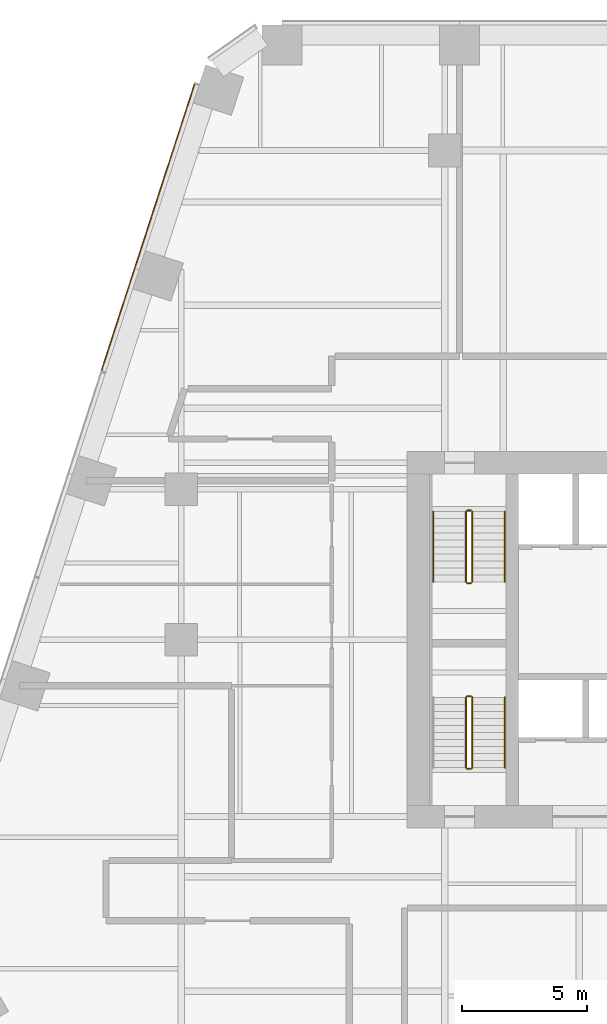
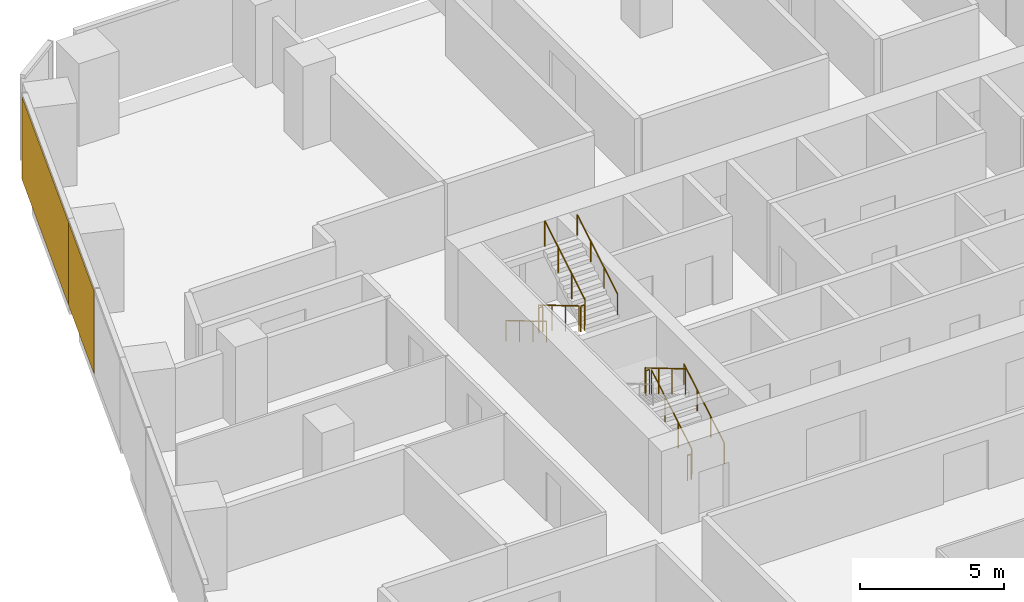
# One storey, part 19 of 21: 11 railings, 2 coverings, 1 element without a shape of its own.
"""IFC4 building model written with IfcOpenShell, lengths in metres."""

import ifcopenshell
import ifcopenshell.guid

model = None  # the IFC model being written
_history = None  # IfcOwnerHistory: only IFC2X3 demands one
_inside = {}  # id of a spatial element -> (the spatial element, [elements in it])
_under = {}  # id of a project, library or spatial element -> (it, [spatial elements below it])
_declared = {}  # id of a project -> (the project, [libraries it declares])
_typed = {}  # id of a type object -> (the type object, [elements of that type])
_made_of = {}  # id of a material, layer set ... -> (it, [elements and type objects made of it])


def new_model(schema):
    """Start an empty IFC model of exactly this schema.

    Asked for "IFC4X3", IfcOpenShell would pick the latest addendum, in which some entities
    have other attributes; the version numbers below select the first issue.
    IFC2X3 requires an IfcOwnerHistory on every rooted entity: one is made here for all.
    """
    global model, _history
    if schema == "IFC4X3":
        model = ifcopenshell.file(schema_version=(4, 3, 0, 0))
    else:
        model = ifcopenshell.file(schema=schema)
    _inside.clear()
    _under.clear()
    _declared.clear()
    _typed.clear()
    _made_of.clear()
    _history = None
    if model.schema == "IFC2X3":
        org = make("IfcOrganization", Name="unknown")
        user = make(
            "IfcPersonAndOrganization",
            ThePerson=make("IfcPerson", FamilyName="unknown"),
            TheOrganization=org,
        )
        app = make(
            "IfcApplication",
            ApplicationDeveloper=org,
            Version="unknown",
            ApplicationFullName="unknown",
            ApplicationIdentifier="unknown",
        )
        _history = make(
            "IfcOwnerHistory",
            OwningUser=user,
            OwningApplication=app,
            ChangeAction="ADDED",
            CreationDate=0,
        )
    return model


def make(cls, **values):
    """One entity of the class cls with the attributes given. An attribute that is None is left unset."""
    return model.create_entity(
        cls, **{name: value for name, value in values.items() if value is not None}
    )


def rooted(cls, **values):
    """An entity with a GlobalId (a new one), such as an element, a storey or a relation."""
    return make(cls, GlobalId=ifcopenshell.guid.new(), OwnerHistory=_history, **values)


def si_unit(unit_type, name, prefix=None):
    """IfcSIUnit, for example si_unit("LENGTHUNIT", "METRE", prefix="MILLI")."""
    return make("IfcSIUnit", UnitType=unit_type, Prefix=prefix, Name=name)


def assignment(units):
    """IfcUnitAssignment: the units of a project."""
    return None if units is None else make("IfcUnitAssignment", Units=units)


def point(xyz):
    """IfcCartesianPoint."""
    return None if xyz is None else make("IfcCartesianPoint", Coordinates=xyz)


def direction(xyz):
    """IfcDirection."""
    return None if xyz is None else make("IfcDirection", DirectionRatios=xyz)


def frame(location, z_axis=None, x_axis=None):
    """IfcAxis2Placement3D, a coordinate frame: its origin and axes. An axis left out is left unset."""
    return make(
        "IfcAxis2Placement3D",
        Location=point(location),
        Axis=direction(z_axis),
        RefDirection=direction(x_axis),
    )


def frame_2d(location, x_axis=None):
    """IfcAxis2Placement2D, a coordinate frame in the plane: its origin and x axis."""
    return make(
        "IfcAxis2Placement2D", Location=point(location), RefDirection=direction(x_axis)
    )


def origin():
    """The frame at (0, 0, 0) with its axes left unset."""
    return frame((0.0, 0.0, 0.0))


def origin_2d():
    """The frame at (0, 0) in the plane with its x axis left unset."""
    return frame_2d((0.0, 0.0))


def place(relative_to, where):
    """IfcLocalPlacement: puts the frame where relative to a parent placement (None: the world)."""
    return make(
        "IfcLocalPlacement", PlacementRelTo=relative_to, RelativePlacement=where
    )


def context(
    kind, dimensions, precision=None, world=None, true_north=None, identifier=None
):
    """IfcGeometricRepresentationContext, for example the 3D "Model" context."""
    return make(
        "IfcGeometricRepresentationContext",
        ContextIdentifier=identifier,
        ContextType=kind,
        CoordinateSpaceDimension=dimensions,
        Precision=precision,
        WorldCoordinateSystem=world,
        TrueNorth=true_north,
    )


def subcontext(parent, identifier, kind, view, scale=None):
    """IfcGeometricRepresentationSubContext, for example "Body" below "Model"."""
    return make(
        "IfcGeometricRepresentationSubContext",
        ContextIdentifier=identifier,
        ContextType=kind,
        ParentContext=parent,
        TargetScale=scale,
        TargetView=view,
    )


def project(units=None, contexts=None):
    """IfcProject with its units and contexts."""
    return rooted(
        "IfcProject",
        Name="project",
        RepresentationContexts=contexts,
        UnitsInContext=assignment(units),
    )


def spatial(cls, under=None, at=None, **own):
    """A site, building, storey or space (cls), placed at a placement, below another one or the project."""
    s = rooted(cls, ObjectPlacement=at, **own)
    if under is not None:
        _under.setdefault(under.id(), (under, []))[1].append(s)
    return s


def profile(cls, at=None, kind="AREA", **sizes):
    """A parametric profile (cls). Its sizes go by their IFC names, for example OverallWidth=200.0."""
    return make(cls, ProfileType=kind, Position=at, **sizes)


def rectangle(**sizes):
    """IfcRectangleProfileDef."""
    return profile("IfcRectangleProfileDef", **sizes)


def circle(**sizes):
    """IfcCircleProfileDef."""
    return profile("IfcCircleProfileDef", **sizes)


def extrude(swept, where, along, depth):
    """IfcExtrudedAreaSolid: the profile swept, set in the frame where, extruded along a direction by depth."""
    return make(
        "IfcExtrudedAreaSolid",
        SweptArea=swept,
        Position=where,
        ExtrudedDirection=direction(along),
        Depth=depth,
    )


def shape(context_of_items, identifier, shape_type, items):
    """IfcShapeRepresentation: the items that make up one representation, for example the "Body"."""
    return make(
        "IfcShapeRepresentation",
        ContextOfItems=context_of_items,
        RepresentationIdentifier=identifier,
        RepresentationType=shape_type,
        Items=items,
    )


def material(Name=None, Category=None):
    """IfcMaterial."""
    return make("IfcMaterial", Name=Name, Category=Category)


def layer(
    of_material, thickness, ventilated=None, Name=None, Category=None, Priority=None
):
    """IfcMaterialLayer: one layer of a wall or slab, of a material (None: an air gap)."""
    return make(
        "IfcMaterialLayer",
        Material=of_material,
        LayerThickness=thickness,
        IsVentilated=ventilated,
        Name=Name,
        Category=Category,
        Priority=Priority,
    )


def layer_set(layers, Name=None):
    """IfcMaterialLayerSet."""
    return make("IfcMaterialLayerSet", MaterialLayers=layers, LayerSetName=Name)


def made_of(thing, what):
    """Note that an element or type object is made of a material, layer set ...; save() writes the relation."""
    if what is not None:
        _made_of.setdefault(what.id(), (what, []))[1].append(thing)
    return thing


def type_object(cls, material=None, **own):
    """A type object (cls), such as IfcWallType, which elements share."""
    return made_of(rooted(cls, **own), material)


def element(
    cls,
    number,
    at=None,
    inside=None,
    cuts=None,
    type_object=None,
    material=None,
    context=None,
    identifier="Body",
    shape_type=None,
    held_by="IfcProductDefinitionShape",
    body=None,
    shapes=None,
    **own,
):
    """One element of the class cls, such as IfcWall. Its Tag is "e" and its number.

    at: its placement. inside: the storey or other place that contains it. cuts: it is an
    opening in that element (IfcRelVoidsElement). A single representation is given by context,
    identifier, shape_type and body (its items); several are given by shapes. held_by: the class
    of the entity that holds the representations. save() writes the other relations.
    """
    e = rooted(cls, Tag="e%d" % number, ObjectPlacement=at, **own)
    if body is not None:
        shapes = [shape(context, identifier, shape_type, body)]
    if shapes is not None:
        e.Representation = make(held_by, Representations=shapes)
    if inside is not None:
        _inside.setdefault(inside.id(), (inside, []))[1].append(e)
    if cuts is not None:
        rooted(
            "IfcRelVoidsElement", RelatingBuildingElement=cuts, RelatedOpeningElement=e
        )
    if type_object is not None:
        _typed.setdefault(type_object.id(), (type_object, []))[1].append(e)
    return made_of(e, material)


def aggregate(whole, parts):
    """IfcRelAggregates: a whole, such as a stair, and the parts it consists of."""
    return rooted("IfcRelAggregates", RelatingObject=whole, RelatedObjects=parts)


def save(model, path):
    """Write the relations noted so far, then the file.

    IfcRelAggregates (storeys below a building ...), IfcRelContainedInSpatialStructure (elements
    in a storey), IfcRelDefinesByType, IfcRelAssociatesMaterial and IfcRelDeclares: one each for
    every whole, place, type object, material and project.
    """
    for whole, parts in _under.values():
        aggregate(whole, parts)
    for where, things in _inside.values():
        rooted(
            "IfcRelContainedInSpatialStructure",
            RelatedElements=things,
            RelatingStructure=where,
        )
    for kind, things in _typed.values():
        rooted("IfcRelDefinesByType", RelatedObjects=things, RelatingType=kind)
    for what, things in _made_of.values():
        rooted("IfcRelAssociatesMaterial", RelatedObjects=things, RelatingMaterial=what)
    for by, libraries in _declared.values():
        rooted("IfcRelDeclares", RelatingContext=by, RelatedDefinitions=libraries)
    model.write(path)


model = new_model("IFC4")

# Units and contexts
model_context = context("Model", 3, precision=1e-05, world=origin(), true_north=direction((0.0, 1.0)))
body_context = subcontext(model_context, "Body", "Model", "MODEL_VIEW")
ifc_project = project(units=[si_unit("LENGTHUNIT", "METRE"), si_unit("AREAUNIT", "SQUARE_METRE"), si_unit("VOLUMEUNIT", "CUBIC_METRE"), si_unit("PLANEANGLEUNIT", "RADIAN"), si_unit("MASSUNIT", "GRAM", prefix="KILO")], contexts=[model_context])

# Site, building, storey
site_placement = place(None, origin())
site = spatial("IfcSite", under=ifc_project, at=site_placement, CompositionType="ELEMENT")
building_placement = place(site_placement, origin())
building = spatial("IfcBuilding", under=site, at=building_placement, Name="Isthmus Gate Tower", CompositionType="ELEMENT")
storey_placement = place(building_placement, frame((0.0, 0.0, 106.199951171875)))
storey = spatial("IfcBuildingStorey", under=building, at=storey_placement, Name="L25", CompositionType="ELEMENT", Elevation=106.199951171875)

# Curtain wall, coverings
ifc_material_1 = material(Name="Aluminium, pale champagne anodised", Category="aluminium")
ifc_layer_1 = layer(ifc_material_1, 0.199951171875)
ifc_layer_set_1 = layer_set([ifc_layer_1], Name="CW-1 UNITISED CURTAIN WALL 200 DEEP")
curtain_wall_type = type_object("IfcCurtainWallType", Name="CW-1 UNITISED CURTAIN WALL 200 DEEP", PredefinedType="NOTDEFINED", material=ifc_layer_set_1)
curtain_wall_placement = place(storey_placement, origin())
curtain_wall = element("IfcCurtainWall", 1, at=curtain_wall_placement, inside=storey, type_object=curtain_wall_type, Name="CW-1 NW L25", PredefinedType="NOTDEFINED")
ifc_material_2 = material(Name="Aluminium composite panel, pale champagne anodised", Category="aluminium")
ifc_layer_2 = layer(ifc_material_2, 0.0400390625)
ifc_layer_set_2 = layer_set([ifc_layer_2], Name="CW-1 PALE METAL PANEL 40")
covering_type = type_object("IfcCoveringType", Name="CW-1 PALE METAL PANEL 40", PredefinedType="CLADDING", material=ifc_layer_set_2)
covering_1_placement = place(storey_placement, frame((-24.660400390625, 25.97705078125, 0.0), z_axis=(0.0, 0.0, 1.0), x_axis=(-0.309016994375, -0.951056516295, 0.0)))
covering_1 = element("IfcCovering", 2, at=covering_1_placement, type_object=covering_type, Name="CW-1 pale metal panel", PredefinedType="CLADDING", context=body_context, shape_type="SweptSolid", body=[
    extrude(rectangle(XDim=7.729248046875, YDim=0.0400390625, at=origin_2d()), origin(), (0.0, 0.0, 1.0), 3.5),
])
covering_2_placement = place(storey_placement, frame((-26.51806640625, 20.25927734375, 0.0), z_axis=(0.0, 0.0, 1.0), x_axis=(-0.309016994375, -0.951056516295, 0.0)))
covering_2 = element("IfcCovering", 3, at=covering_2_placement, type_object=covering_type, Name="CW-1 pale metal panel", PredefinedType="CLADDING", context=body_context, shape_type="SweptSolid", body=[
    extrude(rectangle(XDim=4.294677734375, YDim=0.0400390625, at=origin_2d()), origin(), (0.0, 0.0, 1.0), 3.5),
])
aggregate(curtain_wall, [covering_1, covering_2])

# Railings
ifc_material_3 = material(Name="Stainless steel balustrade", Category="steel")
railing_type_1 = type_object("IfcRailingType", Name="STAIR GUARD 1100", PredefinedType="GUARDRAIL", material=ifc_material_3)
railing_1_placement = place(storey_placement, frame((-12.64990234375, 12.60009765625, 0.166015625)))
element("IfcRailing", 4, at=railing_1_placement, inside=storey, type_object=railing_type_1, Name="L25 ST1 stair guard 1", PredefinedType="GUARDRAIL", context=body_context, shape_type="SweptSolid", body=[
    extrude(circle(Radius=0.02392578125, at=origin_2d()), frame((0.0, 0.0, 1.076171875), z_axis=(0.0, -0.860339051648, 0.50972219513), x_axis=(1.0, 0.0, 0.0)), (0.0, 0.0, 1.0), 3.254638671875),
    extrude(circle(Radius=0.02099609375, at=origin_2d()), origin(), (0.0, 0.0, 1.0), 1.052001953125),
    extrude(circle(Radius=0.02099609375, at=origin_2d()), frame((0.0, -0.933349609375, 0.552978515625)), (0.0, 0.0, 1.0), 1.052001953125),
    extrude(circle(Radius=0.02099609375, at=origin_2d()), frame((0.0, -1.86669921875, 1.10595703125)), (0.0, 0.0, 1.0), 1.052001953125),
    extrude(circle(Radius=0.02099609375, at=origin_2d()), frame((0.0, -2.800048828125, 1.658935546875)), (0.0, 0.0, 1.0), 1.052001953125),
])
railing_2_placement = place(storey_placement, frame((-12.60009765625, 9.75, 1.824951171875)))
element("IfcRailing", 5, at=railing_2_placement, inside=storey, type_object=railing_type_1, Name="L25 ST1 stair guard 2", PredefinedType="GUARDRAIL", context=body_context, shape_type="SweptSolid", body=[
    extrude(circle(Radius=0.02392578125, at=origin_2d()), frame((0.0, 0.0, 1.076171875), z_axis=(1.0, 0.0, 0.0), x_axis=(0.0, 1.0, 0.0)), (0.0, 0.0, 1.0), 0.150146484375),
    extrude(circle(Radius=0.02099609375, at=origin_2d()), origin(), (0.0, 0.0, 1.0), 1.052001953125),
    extrude(circle(Radius=0.02099609375, at=origin_2d()), frame((0.150146484375, 0.0, 0.0)), (0.0, 0.0, 1.0), 1.052001953125),
])
railing_3_placement = place(storey_placement, frame((-12.39990234375, 9.800048828125, 1.990966796875)))
element("IfcRailing", 6, at=railing_3_placement, inside=storey, type_object=railing_type_1, Name="L25 ST1 stair guard 3", PredefinedType="GUARDRAIL", context=body_context, shape_type="SweptSolid", body=[
    extrude(circle(Radius=0.02392578125, at=origin_2d()), frame((0.0, 0.0, 1.076171875), z_axis=(0.0, 0.860306154799, 0.50977771628), x_axis=(-1.0, 0.0, 0.0)), (0.0, 0.0, 1.0), 3.254638671875),
    extrude(circle(Radius=0.02099609375, at=origin_2d()), origin(), (0.0, 0.0, 1.0), 1.052001953125),
    extrude(circle(Radius=0.02099609375, at=origin_2d()), frame((0.0, 0.933349609375, 0.552978515625)), (0.0, 0.0, 1.0), 1.052001953125),
    extrude(circle(Radius=0.02099609375, at=origin_2d()), frame((0.0, 1.86669921875, 1.106201171875)), (0.0, 0.0, 1.0), 1.052001953125),
    extrude(circle(Radius=0.02099609375, at=origin_2d()), frame((0.0, 2.800048828125, 1.6591796875)), (0.0, 0.0, 1.0), 1.052001953125),
])
railing_4_placement = place(storey_placement, frame((-12.60009765625, 12.64990234375, 0.0)))
element("IfcRailing", 7, at=railing_4_placement, inside=storey, type_object=railing_type_1, Name="L25 ST1 stair guard 4", PredefinedType="GUARDRAIL", context=body_context, shape_type="SweptSolid", body=[
    extrude(circle(Radius=0.02392578125, at=origin_2d()), frame((0.0, 0.0, 1.076171875), z_axis=(1.0, 0.0, 0.0), x_axis=(0.0, 1.0, 0.0)), (0.0, 0.0, 1.0), 0.150146484375),
    extrude(circle(Radius=0.02099609375, at=origin_2d()), origin(), (0.0, 0.0, 1.0), 1.052001953125),
    extrude(circle(Radius=0.02099609375, at=origin_2d()), frame((0.150146484375, 0.0, 0.0)), (0.0, 0.0, 1.0), 1.052001953125),
])
railing_5_placement = place(storey_placement, frame((-12.39990234375, 2.39990234375, 0.166015625)))
element("IfcRailing", 8, at=railing_5_placement, inside=storey, type_object=railing_type_1, Name="L25 ST7 stair guard 1", PredefinedType="GUARDRAIL", context=body_context, shape_type="SweptSolid", body=[
    extrude(circle(Radius=0.02392578125, at=origin_2d()), frame((0.0, 0.0, 1.076171875), z_axis=(0.0, 0.860339051648, 0.50972219513), x_axis=(-1.0, 0.0, 0.0)), (0.0, 0.0, 1.0), 3.254638671875),
    extrude(circle(Radius=0.02099609375, at=origin_2d()), origin(), (0.0, 0.0, 1.0), 1.052001953125),
    extrude(circle(Radius=0.02099609375, at=origin_2d()), frame((0.0, 0.933349609375, 0.552978515625)), (0.0, 0.0, 1.0), 1.052001953125),
    extrude(circle(Radius=0.02099609375, at=origin_2d()), frame((0.0, 1.86669921875, 1.10595703125)), (0.0, 0.0, 1.0), 1.052001953125),
    extrude(circle(Radius=0.02099609375, at=origin_2d()), frame((0.0, 2.800048828125, 1.658935546875)), (0.0, 0.0, 1.0), 1.052001953125),
])
railing_6_placement = place(storey_placement, frame((-12.449951171875, 5.25, 1.824951171875)))
element("IfcRailing", 9, at=railing_6_placement, inside=storey, type_object=railing_type_1, Name="L25 ST7 stair guard 2", PredefinedType="GUARDRAIL", context=body_context, shape_type="SweptSolid", body=[
    extrude(circle(Radius=0.02392578125, at=origin_2d()), frame((0.0, 0.0, 1.076171875), z_axis=(-1.0, 0.0, 0.0), x_axis=(0.0, -1.0, 0.0)), (0.0, 0.0, 1.0), 0.150146484375),
    extrude(circle(Radius=0.02099609375, at=origin_2d()), origin(), (0.0, 0.0, 1.0), 1.052001953125),
    extrude(circle(Radius=0.02099609375, at=origin_2d()), frame((-0.150146484375, 0.0, 0.0)), (0.0, 0.0, 1.0), 1.052001953125),
])
railing_7_placement = place(storey_placement, frame((-12.64990234375, 5.199951171875, 1.990966796875)))
element("IfcRailing", 10, at=railing_7_placement, inside=storey, type_object=railing_type_1, Name="L25 ST7 stair guard 3", PredefinedType="GUARDRAIL", context=body_context, shape_type="SweptSolid", body=[
    extrude(circle(Radius=0.02392578125, at=origin_2d()), frame((0.0, 0.0, 1.076171875), z_axis=(0.0, -0.860306154799, 0.50977771628), x_axis=(1.0, 0.0, 0.0)), (0.0, 0.0, 1.0), 3.254638671875),
    extrude(circle(Radius=0.02099609375, at=origin_2d()), origin(), (0.0, 0.0, 1.0), 1.052001953125),
    extrude(circle(Radius=0.02099609375, at=origin_2d()), frame((0.0, -0.933349609375, 0.552978515625)), (0.0, 0.0, 1.0), 1.052001953125),
    extrude(circle(Radius=0.02099609375, at=origin_2d()), frame((0.0, -1.86669921875, 1.106201171875)), (0.0, 0.0, 1.0), 1.052001953125),
    extrude(circle(Radius=0.02099609375, at=origin_2d()), frame((0.0, -2.800048828125, 1.6591796875)), (0.0, 0.0, 1.0), 1.052001953125),
])
railing_8_placement = place(storey_placement, frame((-12.449951171875, 2.35009765625, 0.0)))
element("IfcRailing", 11, at=railing_8_placement, inside=storey, type_object=railing_type_1, Name="L25 ST7 stair guard 4", PredefinedType="GUARDRAIL", context=body_context, shape_type="SweptSolid", body=[
    extrude(circle(Radius=0.02392578125, at=origin_2d()), frame((0.0, 0.0, 1.076171875), z_axis=(-1.0, 0.0, 0.0), x_axis=(0.0, -1.0, 0.0)), (0.0, 0.0, 1.0), 0.150146484375),
    extrude(circle(Radius=0.02099609375, at=origin_2d()), origin(), (0.0, 0.0, 1.0), 1.052001953125),
    extrude(circle(Radius=0.02099609375, at=origin_2d()), frame((-0.150146484375, 0.0, 0.0)), (0.0, 0.0, 1.0), 1.052001953125),
])
ifc_material_4 = material(Name="Stainless steel handrail", Category="steel")
railing_type_2 = type_object("IfcRailingType", Name="STAIR HANDRAIL 900", PredefinedType="HANDRAIL", material=ifc_material_4)
railing_9_placement = place(storey_placement, frame((-13.949951171875, 12.60009765625, 0.166015625)))
element("IfcRailing", 12, at=railing_9_placement, inside=storey, type_object=railing_type_2, Name="L25 ST1 stair handrail 1", PredefinedType="HANDRAIL", context=body_context, shape_type="SweptSolid", body=[
    extrude(circle(Radius=0.02392578125, at=origin_2d()), frame((0.0, 0.0, 0.8759765625), z_axis=(0.0, -0.860339051648, 0.50972219513), x_axis=(1.0, 0.0, 0.0)), (0.0, 0.0, 1.0), 3.254638671875),
    extrude(circle(Radius=0.02099609375, at=origin_2d()), origin(), (0.0, 0.0, 1.0), 0.851806640625),
    extrude(circle(Radius=0.02099609375, at=origin_2d()), frame((0.0, -0.933349609375, 0.552978515625)), (0.0, 0.0, 1.0), 0.851806640625),
    extrude(circle(Radius=0.02099609375, at=origin_2d()), frame((0.0, -1.86669921875, 1.10595703125)), (0.0, 0.0, 1.0), 0.851806640625),
    extrude(circle(Radius=0.02099609375, at=origin_2d()), frame((0.0, -2.800048828125, 1.658935546875)), (0.0, 0.0, 1.0), 0.851806640625),
])
railing_10_placement = place(storey_placement, frame((-11.10009765625, 9.800048828125, 1.990966796875)))
element("IfcRailing", 13, at=railing_10_placement, inside=storey, type_object=railing_type_2, Name="L25 ST1 stair handrail 2", PredefinedType="HANDRAIL", context=body_context, shape_type="SweptSolid", body=[
    extrude(circle(Radius=0.02392578125, at=origin_2d()), frame((0.0, 0.0, 0.8759765625), z_axis=(0.0, 0.860306154799, 0.50977771628), x_axis=(-1.0, 0.0, 0.0)), (0.0, 0.0, 1.0), 3.254638671875),
    extrude(circle(Radius=0.02099609375, at=origin_2d()), origin(), (0.0, 0.0, 1.0), 0.851806640625),
    extrude(circle(Radius=0.02099609375, at=origin_2d()), frame((0.0, 0.933349609375, 0.552978515625)), (0.0, 0.0, 1.0), 0.851806640625),
    extrude(circle(Radius=0.02099609375, at=origin_2d()), frame((0.0, 1.86669921875, 1.106201171875)), (0.0, 0.0, 1.0), 0.851806640625),
    extrude(circle(Radius=0.02099609375, at=origin_2d()), frame((0.0, 2.800048828125, 1.6591796875)), (0.0, 0.0, 1.0), 0.851806640625),
])
railing_11_placement = place(storey_placement, frame((-11.10009765625, 2.39990234375, 0.166015625)))
element("IfcRailing", 14, at=railing_11_placement, inside=storey, type_object=railing_type_2, Name="L25 ST7 stair handrail 1", PredefinedType="HANDRAIL", context=body_context, shape_type="SweptSolid", body=[
    extrude(circle(Radius=0.02392578125, at=origin_2d()), frame((0.0, 0.0, 0.8759765625), z_axis=(0.0, 0.860339051648, 0.50972219513), x_axis=(-1.0, 0.0, 0.0)), (0.0, 0.0, 1.0), 3.254638671875),
    extrude(circle(Radius=0.02099609375, at=origin_2d()), origin(), (0.0, 0.0, 1.0), 0.851806640625),
    extrude(circle(Radius=0.02099609375, at=origin_2d()), frame((0.0, 0.933349609375, 0.552978515625)), (0.0, 0.0, 1.0), 0.851806640625),
    extrude(circle(Radius=0.02099609375, at=origin_2d()), frame((0.0, 1.86669921875, 1.10595703125)), (0.0, 0.0, 1.0), 0.851806640625),
    extrude(circle(Radius=0.02099609375, at=origin_2d()), frame((0.0, 2.800048828125, 1.658935546875)), (0.0, 0.0, 1.0), 0.851806640625),
])

save(model, "model.ifc")
